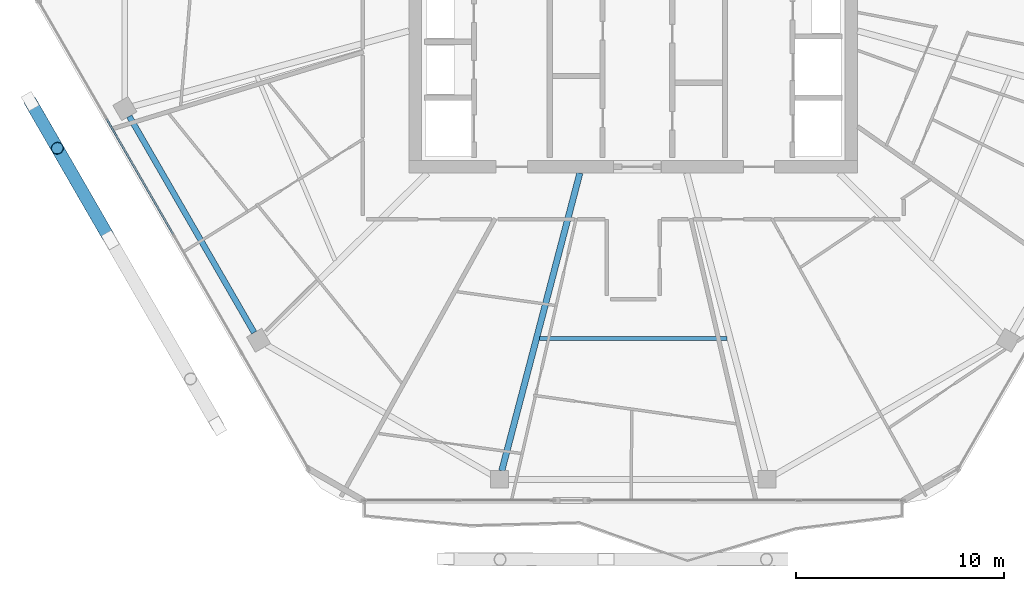
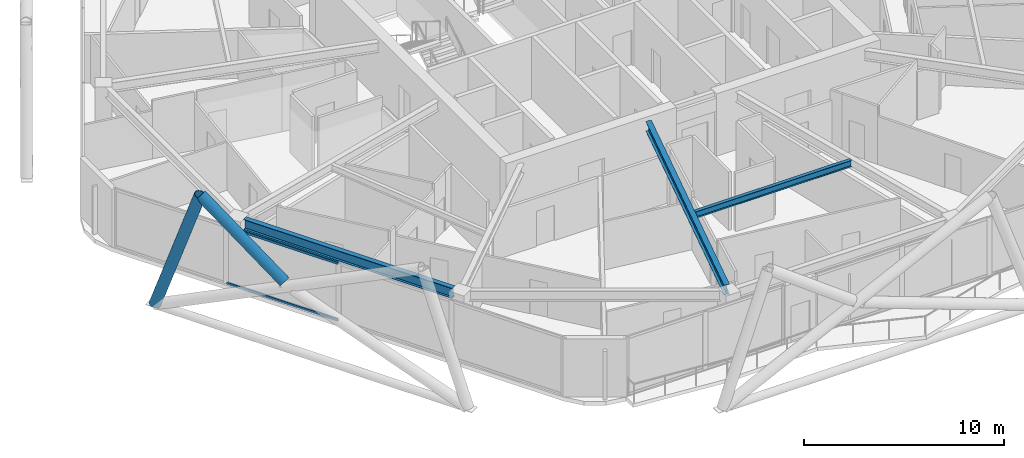
# One storey, part 5 of 27: 4 members, 3 beams, 1 element without a shape of its own.
"""IFC4 building model written with IfcOpenShell, lengths in metres."""

from ifc_helpers import new_model, si_unit, direction, frame, origin, origin_2d, place, context, subcontext, project, spatial, hollow_rectangle, hollow_circle, i_section, extrude, material, material_profile, profile_set, type_object, element, aggregate, save


model = new_model("IFC4")

# Units and contexts
model_context = context("Model", 3, precision=1e-05, world=origin(), true_north=direction((0.0, 1.0)))
body_context = subcontext(model_context, "Body", "Model", "MODEL_VIEW")
ifc_project = project(units=[si_unit("LENGTHUNIT", "METRE"), si_unit("AREAUNIT", "SQUARE_METRE"), si_unit("VOLUMEUNIT", "CUBIC_METRE"), si_unit("PLANEANGLEUNIT", "RADIAN"), si_unit("MASSUNIT", "GRAM", prefix="KILO")], contexts=[model_context])

# Site, building, storey
site_placement = place(None, origin())
site = spatial("IfcSite", under=ifc_project, at=site_placement, CompositionType="ELEMENT")
building_placement = place(site_placement, origin())
building = spatial("IfcBuilding", under=site, at=building_placement, Name="Zuhravey Tower", CompositionType="ELEMENT")
storey_placement = place(building_placement, frame((0.0, 0.0, 276.800048828125)))
storey = spatial("IfcBuildingStorey", under=building, at=storey_placement, Name="L70", CompositionType="ELEMENT", Elevation=276.800048828125)

# Curtain wall, members
ifc_material_1 = material(Name="Thermally broken anodised aluminium", Category="aluminium")
curtain_wall_type = type_object("IfcCurtainWallType", Name="Zone 3-4 High-Rise Curtain Wall CW4", PredefinedType="NOTDEFINED", material=ifc_material_1)
curtain_wall_placement = place(storey_placement, origin())
curtain_wall = element("IfcCurtainWall", 1, at=curtain_wall_placement, inside=storey, type_object=curtain_wall_type, Name="L70 CW4 CW-L70-F4-1", PredefinedType="NOTDEFINED")
ifc_material_2 = material(Name="Anodised aluminium", Category="aluminium")
ifc_material_profile_1 = material_profile(ifc_material_2, hollow_rectangle(XDim=0.090087890625, YDim=0.14990234375, WallThickness=0.0048828125, at=origin_2d()), Name="ALU-RHS-90x150x5")
ifc_profile_set_1 = profile_set([ifc_material_profile_1], Name="Anodised aluminium")
member_type_1 = type_object("IfcMemberType", Name="Curtain-Wall Transom 90x150", PredefinedType="USERDEFINED", material=ifc_profile_set_1)
member_1_placement = place(storey_placement, frame((13.8388671875, 19.257080078125, 0.044921875), z_axis=(-0.499998017366, 0.866026548456, 0.0), x_axis=(-0.866026548456, -0.499998017366, 0.0)))
member_1 = element("IfcMember", 2, at=member_1_placement, type_object=member_type_1, Name="CW4 transom 3.1", ObjectType="TRANSOM", PredefinedType="USERDEFINED", context=body_context, shape_type="SweptSolid", body=[
    extrude(hollow_rectangle(XDim=0.090087890625, YDim=0.14990234375, WallThickness=0.0048828125, at=origin_2d()), origin(), (0.0, 0.0, 1.0), 6.41650390625),
])
member_2_placement = place(storey_placement, frame((13.8388671875, 19.257080078125, 3.5048828125), z_axis=(-0.499998017366, 0.866026548456, 0.0), x_axis=(-0.866026548456, -0.499998017366, 0.0)))
member_2 = element("IfcMember", 3, at=member_2_placement, type_object=member_type_1, Name="CW4 transom 3.2", ObjectType="TRANSOM", PredefinedType="USERDEFINED", context=body_context, shape_type="SweptSolid", body=[
    extrude(hollow_rectangle(XDim=0.090087890625, YDim=0.14990234375, WallThickness=0.0048828125, at=origin_2d()), origin(), (0.0, 0.0, 1.0), 6.41650390625),
])
aggregate(curtain_wall, [member_1, member_2])

# Members
ifc_material_3 = material(Name="Steel SM355", Category="steel")
ifc_material_profile_2 = material_profile(ifc_material_3, hollow_circle(Radius=0.3046875, WallThickness=0.028076171875, at=origin_2d()), Name="CHS-609.6x28")
ifc_profile_set_2 = profile_set([ifc_material_profile_2], Name="Steel SM355")
member_type_2 = type_object("IfcMemberType", Name="Exoskeleton Zone 3 Diagrid CHS610x28", PredefinedType="BRACE", material=ifc_profile_set_2)
member_3_placement = place(storey_placement, frame((6.959716796875, 25.652099609375, -0.446044921875), z_axis=(0.163030622365, -0.282366718953, 0.945351813982), x_axis=(0.866017274468, 0.500014080125, 0.0)))
element("IfcMember", 4, at=member_3_placement, inside=storey, type_object=member_type_2, Name="L70 Face 4 Diagrid Brace 1", PredefinedType="BRACE", context=body_context, shape_type="SweptSolid", body=[
    extrude(hollow_circle(Radius=0.3046875, WallThickness=0.028076171875, at=origin_2d()), origin(), (0.0, 0.0, 1.0), 8.001220703125),
])
member_4_placement = place(storey_placement, frame((10.697509765625, 19.17822265625, 3.51220703125), z_axis=(-0.400881411374, 0.694285413611, 0.597713860021), x_axis=(-0.866006207073, -0.500033248206, 0.0)))
element("IfcMember", 5, at=member_4_placement, inside=storey, type_object=member_type_2, Name="L70 Face 4 Split Diagrid Brace 3B", PredefinedType="BRACE", context=body_context, shape_type="SweptSolid", body=[
    extrude(hollow_circle(Radius=0.3046875, WallThickness=0.028076171875, at=origin_2d()), origin(), (0.0, 0.0, 1.0), 6.02197265625),
])

# Beams
ifc_material_profile_3 = material_profile(ifc_material_3, i_section(OverallWidth=0.280029296875, OverallDepth=0.6201171875, WebThickness=0.011962890625, FlangeThickness=0.02001953125, at=origin_2d()), Name="H-620x280x12x20")
ifc_profile_set_3 = profile_set([ifc_material_profile_3], Name="Steel SM355")
beam_type_1 = type_object("IfcBeamType", Name="Perimeter Ring Beam H620x280", PredefinedType="BEAM", material=ifc_profile_set_3)
beam_1_placement = place(storey_placement, frame((11.7294921875, 24.930419921875, 3.239990234375), z_axis=(0.500005971936, -0.866021955858, 0.0), x_axis=(0.866021955858, 0.500005971936, 0.0)))
element("IfcBeam", 6, at=beam_1_placement, inside=storey, type_object=beam_type_1, Name="L70 PB3 BM-L70-PB-07", PredefinedType="BEAM", context=body_context, shape_type="SweptSolid", body=[
    extrude(i_section(OverallWidth=0.280029296875, OverallDepth=0.6201171875, WebThickness=0.011962890625, FlangeThickness=0.02001953125, at=origin_2d()), origin(), (0.0, 0.0, 1.0), 12.025634765625),
])
ifc_material_profile_4 = material_profile(ifc_material_3, i_section(OverallWidth=0.300048828125, OverallDepth=0.60009765625, WebThickness=0.011962890625, FlangeThickness=0.02001953125, at=origin_2d()), Name="H-600x300x12x20")
ifc_profile_set_4 = profile_set([ifc_material_profile_4], Name="Steel SM355")
beam_type_2 = type_object("IfcBeamType", Name="Radial Primary Girder H600x300", PredefinedType="BEAM", material=ifc_profile_set_4)
beam_2_placement = place(storey_placement, frame((33.428466796875, 22.197021484375, 3.25), z_axis=(-0.25373188956, -0.967274587809, 0.0), x_axis=(0.967274587809, -0.25373188956, 0.0)))
element("IfcBeam", 7, at=beam_2_placement, inside=storey, type_object=beam_type_2, Name="L70 RG3 BM-L70-RAD-09", PredefinedType="BEAM", context=body_context, shape_type="SweptSolid", body=[
    extrude(i_section(OverallWidth=0.300048828125, OverallDepth=0.60009765625, WebThickness=0.011962890625, FlangeThickness=0.02001953125, at=origin_2d()), origin(), (0.0, 0.0, 1.0), 14.82177734375),
])
ifc_material_profile_5 = material_profile(ifc_material_3, i_section(OverallWidth=0.199951171875, OverallDepth=0.39990234375, WebThickness=0.008056640625, FlangeThickness=0.012939453125, at=origin_2d()), Name="H-400x200x8x13")
ifc_profile_set_5 = profile_set([ifc_material_profile_5], Name="Steel SM355")
beam_type_3 = type_object("IfcBeamType", Name="Secondary Floor Joist H400x200", PredefinedType="JOIST", material=ifc_profile_set_5)
beam_3_placement = place(storey_placement, frame((31.492919921875, 14.231689453125, 3.349853515625), z_axis=(1.0, 0.0, 0.0), x_axis=(0.0, 1.0, 0.0)))
element("IfcBeam", 8, at=beam_3_placement, inside=storey, type_object=beam_type_3, Name="L70 SJ2 BM-L70-SJ-09-1", PredefinedType="JOIST", context=body_context, shape_type="SweptSolid", body=[
    extrude(i_section(OverallWidth=0.199951171875, OverallDepth=0.39990234375, WebThickness=0.008056640625, FlangeThickness=0.012939453125, at=origin_2d()), origin(), (0.0, 0.0, 1.0), 9.01416015625),
])

save(model, "model.ifc")
